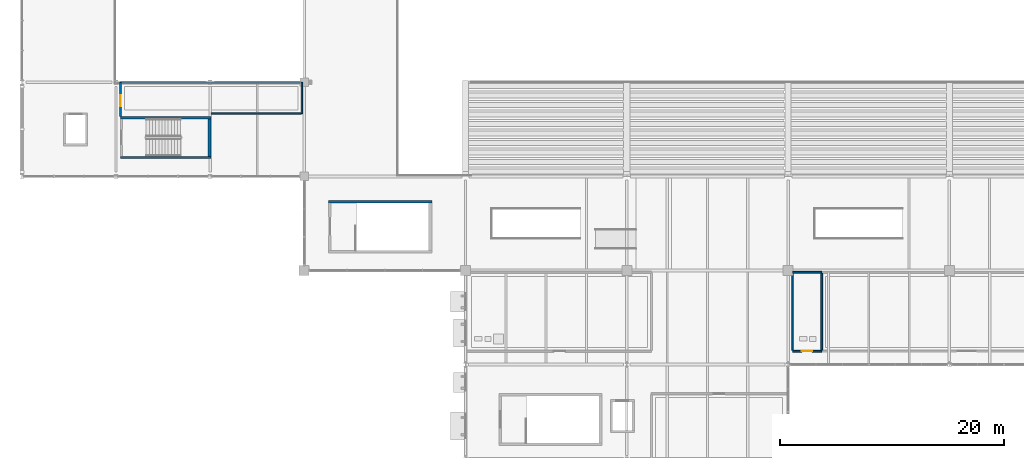
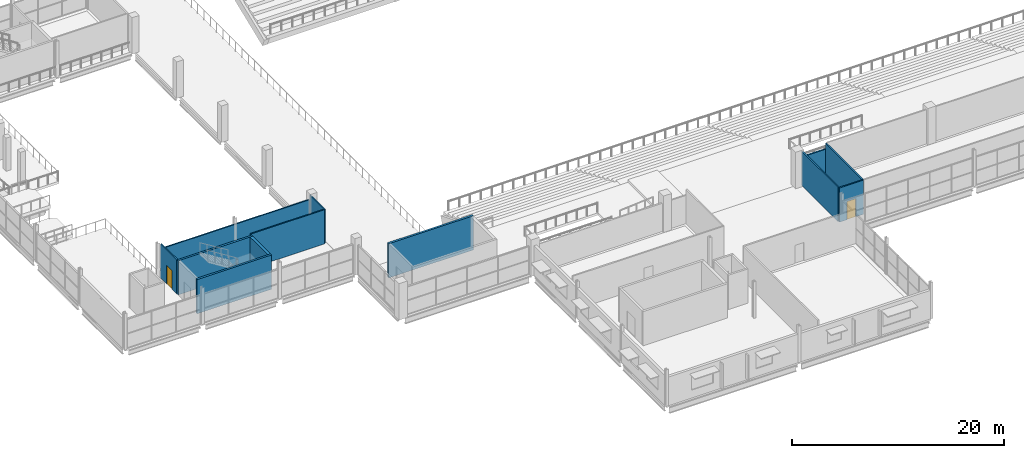
# One storey, part 135 of 161: 12 walls, 2 doors, 2 openings.
"""IFC4 building model written with IfcOpenShell, lengths in metres."""

from ifc_helpers import new_model, si_unit, direction, frame, frame_2d, origin, place, context, subcontext, project, spatial, rectangle, extrude, material, layer, layer_set, type_object, element, fill, save


model = new_model("IFC4")

# Units and contexts
model_context = context("Model", 3, precision=1e-05, world=origin(), true_north=direction((0.0, 1.0)))
body_context = subcontext(model_context, "Body", "Model", "MODEL_VIEW")
ifc_project = project(units=[si_unit("LENGTHUNIT", "METRE"), si_unit("AREAUNIT", "SQUARE_METRE"), si_unit("VOLUMEUNIT", "CUBIC_METRE"), si_unit("PLANEANGLEUNIT", "RADIAN"), si_unit("MASSUNIT", "GRAM", prefix="KILO"), si_unit("THERMODYNAMICTEMPERATUREUNIT", "KELVIN")], contexts=[model_context])

# Site, building, storey
site_placement = place(None, origin())
site = spatial("IfcSite", under=ifc_project, at=site_placement, CompositionType="ELEMENT")
building_placement = place(site_placement, origin())
building = spatial("IfcBuilding", under=site, at=building_placement, Name="Nduvali Passage Aquatics Centre", CompositionType="ELEMENT")
storey_placement = place(building_placement, frame((0.0, 0.0, 4.800048828125)))
storey = spatial("IfcBuildingStorey", under=building, at=storey_placement, Name="L01", CompositionType="ELEMENT", Elevation=4.800048828125)

# Walls
ifc_material_1 = material(Name="Concrete C40/50", Category="concrete")
ifc_layer_1 = layer(ifc_material_1, 0.219970703125, Name="Concrete C40/50")
ifc_layer_set_1 = layer_set([ifc_layer_1], Name="Concrete C40/50")
wall_type_1 = type_object("IfcWallType", Name="INT-WAL-CORE220", PredefinedType="SOLIDWALL", material=ifc_layer_set_1)
for number, where, z_axis, x_axis, name in (
    (1, (8.780029296875, 35.2900390625, 0.0), (0.0, 0.0, 1.0), (1.0, 0.0, 0.0), "L01 Stair ST9 Core Wall S"),
    (2, (16.89990234375, 38.860107421875, 0.0), (0.0, 0.0, 1.0), (-1.0, 0.0, 0.0), "L01 Stair ST9 Core Wall N"),
):
    element("IfcWall", number, at=place(storey_placement, frame(where, z_axis=z_axis, x_axis=x_axis)), inside=storey, type_object=wall_type_1, Name=name, PredefinedType="SOLIDWALL", context=body_context, shape_type="SweptSolid", body=[
        extrude(rectangle(XDim=8.119873046875, YDim=0.219970703125, at=frame_2d((4.06005859375, 0.0))), origin(), (0.0, 0.0, 1.0), 3.93994140625),
    ])
wall_1_placement = place(storey_placement, frame((36.60009765625, 31.360107421875, 0.0), z_axis=(0.0, 0.0, 1.0), x_axis=(-1.0, 0.0, 0.0)))
element("IfcWall", 3, at=wall_1_placement, inside=storey, type_object=wall_type_1, Name="L01 Stair ST13 Core Wall N", PredefinedType="SOLIDWALL", context=body_context, shape_type="SweptSolid", body=[
    extrude(rectangle(XDim=9.22021484375, YDim=0.219970703125, at=frame_2d((4.610107421875, 0.0))), origin(), (0.0, 0.0, 1.0), 3.93994140625),
])

# Wall, opening, door
ifc_material_2 = material(Name="Gypsum acoustic stud partition")
ifc_layer_2 = layer(ifc_material_2, 0.139892578125, Name="Gypsum acoustic stud partition")
ifc_layer_set_2 = layer_set([ifc_layer_2], Name="Gypsum acoustic stud partition")
wall_type_2 = type_object("IfcWallType", Name="INT-WAL-PART140", PredefinedType="PARTITIONING", material=ifc_layer_set_2)
wall_2_placement = place(storey_placement, frame((8.800048828125, 38.969970703125, 0.0), z_axis=(0.0, 0.0, 1.0), x_axis=(0.0, 1.0, 0.0)))
wall_2 = element("IfcWall", 4, at=wall_2_placement, inside=storey, type_object=wall_type_2, Name="L01 Diving Coaches Video Review Office Partition 0116", PredefinedType="PARTITIONING", context=body_context, shape_type="SweptSolid", body=[
    extrude(rectangle(XDim=3.030029296875, YDim=0.139892578125, at=frame_2d((1.51513671875, 0.0))), origin(), (0.0, 0.0, 1.0), 3.93994140625),
])
opening_1_placement = place(wall_2_placement, frame((0.91796875, 0.0, 0.0)))
opening_1 = element("IfcOpeningElement", 5, at=opening_1_placement, cuts=wall_2, Name="Opening ID2", PredefinedType="OPENING", context=body_context, shape_type="SweptSolid", body=[
    extrude(rectangle(XDim=0.949951171875, YDim=2.14990234375, at=frame_2d((0.47509765625, 1.074951171875))), frame((0.0, 0.0849609375, 0.0), z_axis=(0.0, -1.0, 0.0), x_axis=(1.0, 0.0, 0.0)), (0.0, 0.0, 1.0), 0.169677734375),
])
ifc_material_3 = material(Name="Timber solid-core door", Category="wood")
door_type_1 = type_object("IfcDoorType", Name="INT-DR-STD95", OperationType="NOTDEFINED", PredefinedType="DOOR", material=ifc_material_3)
door_1_placement = place(opening_1_placement, origin())
door_1 = element("IfcDoor", 6, at=door_1_placement, inside=storey, type_object=door_type_1, Name="L01 Diving Coaches Video Review Office Door 0038", OperationType="SINGLE_SWING_LEFT", OverallHeight=2.14990234375, OverallWidth=0.949951171875, PredefinedType="DOOR", context=body_context, shape_type="SweptSolid", body=[
    extrude(rectangle(XDim=0.949951171875, YDim=2.14990234375, at=frame_2d((0.47509765625, 1.074951171875))), frame((0.0, 0.02490234375, 0.0), z_axis=(0.0, -1.0, 0.0), x_axis=(1.0, 0.0, 0.0)), (0.0, 0.0, 1.0), 0.050048828125),
])
fill(opening_1, door_1)

# Walls
wall_3_placement = place(storey_placement, frame((25.0, 39.199951171875, 0.0), z_axis=(0.0, 0.0, 1.0), x_axis=(0.0, 1.0, 0.0)))
element("IfcWall", 7, at=wall_3_placement, inside=storey, type_object=wall_type_2, Name="L01 Diving Coaches Video Review Office Partition 0117", PredefinedType="PARTITIONING", context=body_context, shape_type="SweptSolid", body=[
    extrude(rectangle(XDim=2.800048828125, YDim=0.139892578125, at=frame_2d((1.39990234375, 0.0))), origin(), (0.0, 0.0, 1.0), 3.93994140625),
])
wall_4_placement = place(storey_placement, frame((16.89990234375, 39.199951171875, 0.0), z_axis=(0.0, 0.0, 1.0), x_axis=(1.0, 0.0, 0.0)))
element("IfcWall", 8, at=wall_4_placement, inside=storey, type_object=wall_type_2, Name="L01 Diving Coaches Video Review Office Partition 0118", PredefinedType="PARTITIONING", context=body_context, shape_type="SweptSolid", body=[
    extrude(rectangle(XDim=8.030029296875, YDim=0.139892578125, at=frame_2d((4.01513671875, 0.0))), origin(), (0.0, 0.0, 1.0), 3.93994140625),
])
wall_5_placement = place(storey_placement, frame((8.8701171875, 42.0, 0.0), z_axis=(0.0, 0.0, 1.0), x_axis=(1.0, 0.0, 0.0)))
element("IfcWall", 9, at=wall_5_placement, inside=storey, type_object=wall_type_2, Name="L01 Diving Coaches Video Review Office Partition 0119", PredefinedType="PARTITIONING", context=body_context, shape_type="SweptSolid", body=[
    extrude(rectangle(XDim=16.059814453125, YDim=0.139892578125, at=frame_2d((8.02978515625, 0.0))), origin(), (0.0, 0.0, 1.0), 3.396484375),
])

# Wall, opening, door
ifc_material_4 = material(Name="Coral-stone masonry blockwork", Category="masonry")
ifc_layer_3 = layer(ifc_material_4, 0.14990234375, Name="Coral-stone masonry blockwork")
ifc_layer_set_3 = layer_set([ifc_layer_3], Name="Coral-stone masonry blockwork")
wall_type_3 = type_object("IfcWallType", Name="INT-WAL-WET150", PredefinedType="PLUMBINGWALL", material=ifc_layer_set_3)
wall_6_placement = place(storey_placement, frame((68.800048828125, 18.0, 0.0), z_axis=(0.0, 0.0, 1.0), x_axis=(1.0, 0.0, 0.0)))
wall_6 = element("IfcWall", 10, at=wall_6_placement, inside=storey, type_object=wall_type_3, Name="L01 South Spectator Accessible WC Partition 0125", PredefinedType="PLUMBINGWALL", context=body_context, shape_type="SweptSolid", body=[
    extrude(rectangle(XDim=2.599853515625, YDim=0.14990234375, at=frame_2d((1.2998046875, 0.0))), origin(), (0.0, 0.0, 1.0), 3.93994140625),
])
opening_2_placement = place(wall_6_placement, frame((0.824951171875, 0.0, 0.0)))
opening_2 = element("IfcOpeningElement", 11, at=opening_2_placement, cuts=wall_6, Name="Opening ID3", PredefinedType="OPENING", context=body_context, shape_type="SweptSolid", body=[
    extrude(rectangle(XDim=0.949951171875, YDim=2.10009765625, at=frame_2d((0.47509765625, 1.050048828125))), frame((0.0, 0.08984375, 0.0), z_axis=(0.0, -1.0, 0.0), x_axis=(1.0, 0.0, 0.0)), (0.0, 0.0, 1.0), 0.1796875),
])
door_type_2 = type_object("IfcDoorType", Name="INT-DR-WC95", OperationType="NOTDEFINED", PredefinedType="DOOR", material=ifc_material_3)
door_2_placement = place(opening_2_placement, frame((0.949951171875, 0.0, 0.0), z_axis=(0.0, 0.0, 1.0), x_axis=(-1.0, 0.0, 0.0)))
door_2 = element("IfcDoor", 12, at=door_2_placement, inside=storey, type_object=door_type_2, Name="L01 South Spectator Accessible WC Door 0041", OperationType="SINGLE_SWING_RIGHT", OverallHeight=2.10009765625, OverallWidth=0.949951171875, PredefinedType="DOOR", context=body_context, shape_type="SweptSolid", body=[
    extrude(rectangle(XDim=0.949951171875, YDim=2.10009765625, at=frame_2d((0.47509765625, 1.050048828125))), frame((0.0, 0.02490234375, 0.0), z_axis=(0.0, -1.0, 0.0), x_axis=(1.0, 0.0, 0.0)), (0.0, 0.0, 1.0), 0.050048828125),
])
fill(opening_2, door_2)

# Walls
wall_7_placement = place(storey_placement, frame((68.800048828125, 25.0400390625, 0.0), z_axis=(0.0, 0.0, 1.0), x_axis=(1.0, 0.0, 0.0)))
element("IfcWall", 13, at=wall_7_placement, inside=storey, type_object=wall_type_3, Name="L01 South Spectator Accessible WC Partition 0126", PredefinedType="PLUMBINGWALL", context=body_context, shape_type="SweptSolid", body=[
    extrude(rectangle(XDim=2.599853515625, YDim=0.14990234375, at=frame_2d((1.2998046875, 0.0))), origin(), (0.0, 0.0, 1.0), 3.25244140625),
])
for number, where, z_axis, x_axis, name in (
    (14, (68.800048828125, 18.074951171875, 0.0), (0.0, 0.0, 1.0), (0.0, 1.0, 0.0), "L01 South Spectator Accessible WC Partition 0127"),
    (15, (71.39990234375, 18.074951171875, 0.0), (0.0, 0.0, 1.0), (0.0, 1.0, 0.0), "L01 South Spectator Accessible WC Partition 0128"),
):
    element("IfcWall", number, at=place(storey_placement, frame(where, z_axis=z_axis, x_axis=x_axis)), inside=storey, type_object=wall_type_3, Name=name, PredefinedType="PLUMBINGWALL", context=body_context, shape_type="SweptSolid", body=[
        extrude(rectangle(XDim=6.89013671875, YDim=0.14990234375, at=frame_2d((3.445068359375, 0.0))), origin(), (0.0, 0.0, 1.0), 3.93994140625),
    ])
ifc_layer_4 = layer(ifc_material_1, 0.300048828125, Name="Concrete C40/50")
ifc_layer_set_4 = layer_set([ifc_layer_4], Name="Concrete C40/50")
wall_type_4 = type_object("IfcWallType", Name="STR-WAL-SHR300", PredefinedType="SHEAR", material=ifc_layer_set_4)
wall_8_placement = place(storey_placement, frame((16.75, 35.39990234375, 0.0), z_axis=(0.0, 0.0, 1.0), x_axis=(0.0, 1.0, 0.0)))
element("IfcWall", 16, at=wall_8_placement, inside=storey, type_object=wall_type_4, Name="L01 Stair ST9 Core Shear Wall E", PredefinedType="SHEAR", context=body_context, shape_type="SweptSolid", body=[
    extrude(rectangle(XDim=3.35009765625, YDim=0.300048828125, at=frame_2d((1.675048828125, 0.0))), origin(), (0.0, 0.0, 1.0), 3.93994140625),
])

save(model, "model.ifc")
